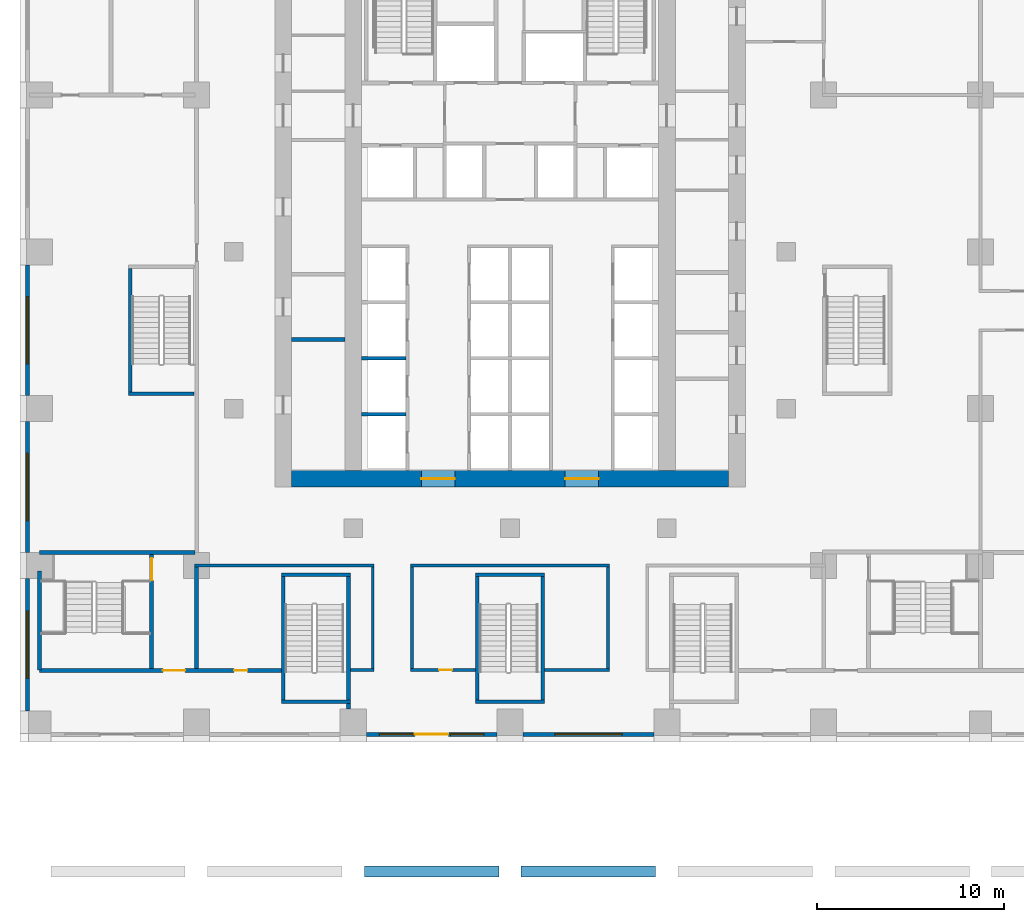
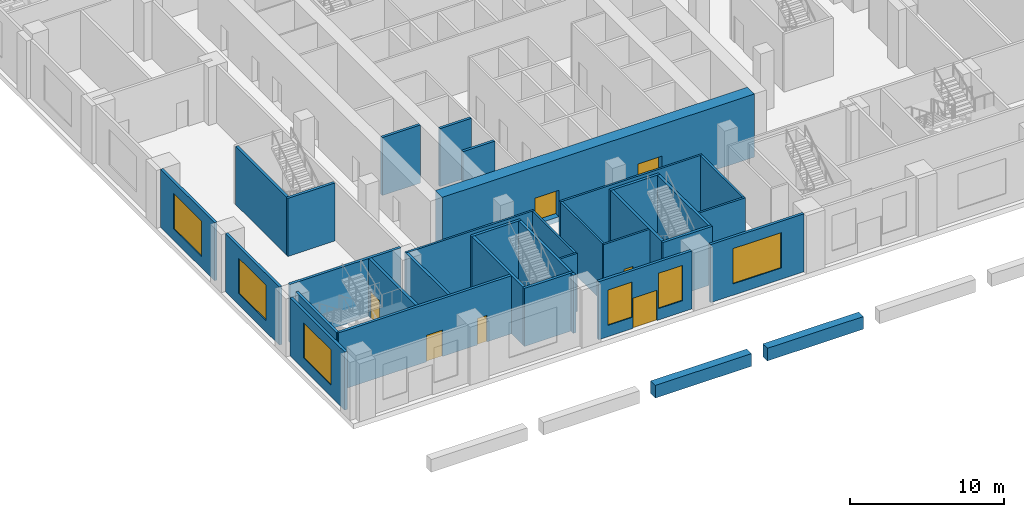
# One storey, part 3 of 21: 34 walls, 7 doors, 6 windows, 13 openings.
"""IFC4 building model written with IfcOpenShell, lengths in metres."""

from ifc_helpers import new_model, si_unit, direction, frame, frame_2d, origin, place, context, subcontext, project, spatial, rectangle, extrude, material, layer, layer_set, type_object, element, fill, save


model = new_model("IFC4")

# Units and contexts
model_context = context("Model", 3, precision=1e-05, world=origin(), true_north=direction((0.0, 1.0)))
body_context = subcontext(model_context, "Body", "Model", "MODEL_VIEW")
ifc_project = project(units=[si_unit("LENGTHUNIT", "METRE"), si_unit("AREAUNIT", "SQUARE_METRE"), si_unit("VOLUMEUNIT", "CUBIC_METRE"), si_unit("PLANEANGLEUNIT", "RADIAN"), si_unit("MASSUNIT", "GRAM", prefix="KILO")], contexts=[model_context])

# Site, building, storey
site_placement = place(None, origin())
site = spatial("IfcSite", under=ifc_project, at=site_placement, CompositionType="ELEMENT")
building_placement = place(site_placement, origin())
building = spatial("IfcBuilding", under=site, at=building_placement, Name="Vermilion Ogive Tower", CompositionType="ELEMENT")
storey_placement = place(building_placement, frame((0.0, 0.0, 25.0)))
storey = spatial("IfcBuildingStorey", under=building, at=storey_placement, Name="L04", CompositionType="ELEMENT", Elevation=25.0)

# Wall, openings, doors
ifc_material_1 = material(Name="Concrete B80", Category="concrete")
ifc_layer_1 = layer(ifc_material_1, 0.89990234375)
ifc_layer_set_1 = layer_set([ifc_layer_1], Name="Core wall 900 B80")
wall_type_1 = type_object("IfcWallType", Name="Core wall 900 B80", PredefinedType="SHEAR", material=ifc_layer_set_1)
wall_1_placement = place(storey_placement, frame((-11.699951171875, -7.949951171875, -0.39990234375), z_axis=(0.0, 0.0, 1.0), x_axis=(1.0, 0.0, 0.0)))
wall_1 = element("IfcWall", 1, at=wall_1_placement, inside=storey, type_object=wall_type_1, Name="L04-CORE-S", PredefinedType="SHEAR", context=body_context, shape_type="SweptSolid", body=[
    extrude(rectangle(XDim=23.39990234375, YDim=0.89990234375, at=frame_2d((11.699951171875, 0.0))), origin(), (0.0, 0.0, 1.0), 5.0),
])
opening_1_placement = place(wall_1_placement, frame((6.949951171875, 0.0, 0.39990234375)))
opening_1 = element("IfcOpeningElement", 2, at=opening_1_placement, cuts=wall_1, Name="Opening DAR009", PredefinedType="OPENING", context=body_context, shape_type="SweptSolid", body=[
    extrude(rectangle(XDim=1.800048828125, YDim=2.10009765625, at=frame_2d((0.89990234375, 1.050048828125))), frame((0.0, 0.4599609375, 0.0), z_axis=(0.0, -1.0, 0.0), x_axis=(1.0, 0.0, 0.0)), (0.0, 0.0, 1.0), 0.919921875),
])
opening_2_placement = place(wall_1_placement, frame((14.64990234375, 0.0, 0.39990234375)))
opening_2 = element("IfcOpeningElement", 3, at=opening_2_placement, cuts=wall_1, Name="Opening DAR010", PredefinedType="OPENING", context=body_context, shape_type="SweptSolid", body=[
    extrude(rectangle(XDim=1.800048828125, YDim=2.10009765625, at=frame_2d((0.89990234375, 1.050048828125))), frame((0.0, 0.4599609375, 0.0), z_axis=(0.0, -1.0, 0.0), x_axis=(1.0, 0.0, 0.0)), (0.0, 0.0, 1.0), 0.919921875),
])
ifc_material_2 = material(Name="Timber door leaf", Category="wood")
door_type_1 = type_object("IfcDoorType", Name="Core entry door 1800 x 2100 FD60S", OperationType="DOUBLE_DOOR_SINGLE_SWING", PredefinedType="DOOR", material=ifc_material_2)
door_1_placement = place(opening_1_placement, origin())
door_1 = element("IfcDoor", 4, at=door_1_placement, inside=storey, type_object=door_type_1, Name="L04-CK-XD1", OperationType="SINGLE_SWING_LEFT", OverallHeight=2.10009765625, OverallWidth=1.800048828125, PredefinedType="DOOR", context=body_context, shape_type="SweptSolid", body=[
    extrude(rectangle(XDim=1.800048828125, YDim=2.10009765625, at=frame_2d((0.89990234375, 1.050048828125))), frame((0.0, 0.02490234375, 0.0), z_axis=(0.0, -1.0, 0.0), x_axis=(1.0, 0.0, 0.0)), (0.0, 0.0, 1.0), 0.050048828125),
])
fill(opening_1, door_1)
door_2_placement = place(opening_2_placement, origin())
door_2 = element("IfcDoor", 5, at=door_2_placement, inside=storey, type_object=door_type_1, Name="L04-CK-XD2", OperationType="SINGLE_SWING_LEFT", OverallHeight=2.10009765625, OverallWidth=1.800048828125, PredefinedType="DOOR", context=body_context, shape_type="SweptSolid", body=[
    extrude(rectangle(XDim=1.800048828125, YDim=2.10009765625, at=frame_2d((0.89990234375, 1.050048828125))), frame((0.0, 0.02490234375, 0.0), z_axis=(0.0, -1.0, 0.0), x_axis=(1.0, 0.0, 0.0)), (0.0, 0.0, 1.0), 0.050048828125),
])
fill(opening_2, door_2)

# Wall
ifc_material_3 = material(Name="Gypsum board partition on steel studs", Category="steel")
ifc_layer_2 = layer(ifc_material_3, 0.14990234375)
ifc_layer_set_2 = layer_set([ifc_layer_2], Name="Partition 150 corridor")
wall_type_2 = type_object("IfcWallType", Name="Partition 150 corridor", PredefinedType="PARTITIONING", material=ifc_layer_set_2)
wall_2_placement = place(storey_placement, frame((-8.550048828125, -18.199951171875, 0.0), z_axis=(0.0, 0.0, 1.0), x_axis=(1.0, 0.0, 0.0)))
element("IfcWall", 6, at=wall_2_placement, inside=storey, type_object=wall_type_2, Name="L04-FS-W-W003", PredefinedType="PARTITIONING", context=body_context, shape_type="SweptSolid", body=[
    extrude(rectangle(XDim=1.275146484375, YDim=0.14990234375, at=frame_2d((0.6376953125, 0.0))), origin(), (0.0, 0.0, 1.0), 4.60009765625),
])

# Wall, opening, door
wall_3_placement = place(storey_placement, frame((-5.324951171875, -18.199951171875, 0.0), z_axis=(0.0, 0.0, 1.0), x_axis=(1.0, 0.0, 0.0)))
wall_3 = element("IfcWall", 7, at=wall_3_placement, inside=storey, type_object=wall_type_2, Name="L04-FS-W-W004", PredefinedType="PARTITIONING", context=body_context, shape_type="SweptSolid", body=[
    extrude(rectangle(XDim=3.474853515625, YDim=0.14990234375, at=frame_2d((1.7373046875, 0.0))), origin(), (0.0, 0.0, 1.0), 4.60009765625),
])
opening_3_placement = place(wall_3_placement, frame((1.52490234375, 0.0, 0.0)))
opening_3 = element("IfcOpeningElement", 8, at=opening_3_placement, cuts=wall_3, Name="Opening L04S037", PredefinedType="OPENING", context=body_context, shape_type="SweptSolid", body=[
    extrude(rectangle(XDim=0.699951171875, YDim=2.10009765625, at=frame_2d((0.35009765625, 1.050048828125))), frame((0.0, 0.0849609375, 0.0), z_axis=(0.0, -1.0, 0.0), x_axis=(1.0, 0.0, 0.0)), (0.0, 0.0, 1.0), 0.169921875),
])
ifc_material_4 = material(Name="Timber door leaf", Category="wood")
door_type_2 = type_object("IfcDoorType", Name="Room door 700 x 2100 FD30", OperationType="SINGLE_SWING_LEFT", PredefinedType="DOOR", material=ifc_material_4)
door_3_placement = place(opening_3_placement, origin())
door_3 = element("IfcDoor", 9, at=door_3_placement, inside=storey, type_object=door_type_2, Name="L04-FS-D-D037", OperationType="SINGLE_SWING_LEFT", OverallHeight=2.10009765625, OverallWidth=0.699951171875, PredefinedType="DOOR", context=body_context, shape_type="SweptSolid", body=[
    extrude(rectangle(XDim=0.699951171875, YDim=2.10009765625, at=frame_2d((0.35009765625, 1.050048828125))), frame((0.0, 0.02490234375, 0.0), z_axis=(0.0, -1.0, 0.0), x_axis=(1.0, 0.0, 0.0)), (0.0, 0.0, 1.0), 0.050048828125),
])
fill(opening_3, door_3)

# Walls
wall_4_placement = place(storey_placement, frame((1.85009765625, -18.199951171875, 0.0), z_axis=(0.0, 0.0, 1.0), x_axis=(1.0, 0.0, 0.0)))
element("IfcWall", 10, at=wall_4_placement, inside=storey, type_object=wall_type_2, Name="L04-FS-W-W005", PredefinedType="PARTITIONING", context=body_context, shape_type="SweptSolid", body=[
    extrude(rectangle(XDim=3.474853515625, YDim=0.14990234375, at=frame_2d((1.7373046875, 0.0))), origin(), (0.0, 0.0, 1.0), 4.60009765625),
])
wall_5_placement = place(storey_placement, frame((-16.89990234375, -12.60009765625, 0.0), z_axis=(0.0, 0.0, 1.0), x_axis=(1.0, 0.0, 0.0)))
element("IfcWall", 11, at=wall_5_placement, inside=storey, type_object=wall_type_2, Name="L04-FS-W-W008", PredefinedType="PARTITIONING", context=body_context, shape_type="SweptSolid", body=[
    extrude(rectangle(XDim=9.625, YDim=0.14990234375, at=frame_2d((4.8125, 0.0))), origin(), (0.0, 0.0, 1.0), 4.60009765625),
])
wall_6_placement = place(storey_placement, frame((-5.324951171875, -12.60009765625, 0.0), z_axis=(0.0, 0.0, 1.0), x_axis=(1.0, 0.0, 0.0)))
element("IfcWall", 12, at=wall_6_placement, inside=storey, type_object=wall_type_2, Name="L04-FS-W-W009", PredefinedType="PARTITIONING", context=body_context, shape_type="SweptSolid", body=[
    extrude(rectangle(XDim=10.64990234375, YDim=0.14990234375, at=frame_2d((5.324951171875, 0.0))), origin(), (0.0, 0.0, 1.0), 4.60009765625),
])
for number, where, z_axis, x_axis, name in (
    (13, (-7.35009765625, -18.125, 0.0), (0.0, 0.0, 1.0), (0.0, 1.0, 0.0), "L04-FS-W-W039"),
    (14, (-5.25, -18.125, 0.0), (0.0, 0.0, 1.0), (0.0, 1.0, 0.0), "L04-FS-W-W040"),
    (15, (5.25, -18.125, 0.0), (0.0, 0.0, 1.0), (0.0, 1.0, 0.0), "L04-FS-W-W046"),
):
    element("IfcWall", number, at=place(storey_placement, frame(where, z_axis=z_axis, x_axis=x_axis)), inside=storey, type_object=wall_type_2, Name=name, PredefinedType="PARTITIONING", context=body_context, shape_type="SweptSolid", body=[
        extrude(rectangle(XDim=5.449951171875, YDim=0.14990234375, at=frame_2d((2.72509765625, 0.0))), origin(), (0.0, 0.0, 1.0), 4.60009765625),
    ])
ifc_material_5 = material(Name="Gypsum board partition on steel studs", Category="steel")
ifc_layer_3 = layer(ifc_material_5, 0.199951171875)
ifc_layer_set_3 = layer_set([ifc_layer_3], Name="Partition 200 party")
wall_type_3 = type_object("IfcWallType", Name="Partition 200 party", PredefinedType="PARTITIONING", material=ifc_layer_set_3)
wall_7_placement = place(storey_placement, frame((-16.800048828125, -18.125, 0.0), z_axis=(0.0, 0.0, 1.0), x_axis=(0.0, 1.0, 0.0)))
element("IfcWall", 16, at=wall_7_placement, inside=storey, type_object=wall_type_3, Name="L04-FS-W-W036", PredefinedType="PARTITIONING", context=body_context, shape_type="SweptSolid", body=[
    extrude(rectangle(XDim=5.449951171875, YDim=0.199951171875, at=frame_2d((2.72509765625, 0.0))), origin(), (0.0, 0.0, 1.0), 4.60009765625),
])
for number, where, z_axis, x_axis, name in (
    (17, (-7.948974609375, -4.5, 0.0), (0.0, 0.0, 1.0), (1.0, 0.0, 0.0), "L04-CK-W-W001"),
    (18, (-7.948974609375, -1.5, 0.0), (0.0, 0.0, 1.0), (1.0, 0.0, 0.0), "L04-CK-W-W004"),
):
    element("IfcWall", number, at=place(storey_placement, frame(where, z_axis=z_axis, x_axis=x_axis)), inside=storey, type_object=wall_type_3, Name=name, PredefinedType="PARTITIONING", context=body_context, shape_type="SweptSolid", body=[
        extrude(rectangle(XDim=2.3740234375, YDim=0.199951171875, at=frame_2d((1.18701171875, 0.0))), origin(), (0.0, 0.0, 1.0), 4.60009765625),
    ])
wall_8_placement = place(storey_placement, frame((-11.698974609375, -0.5, 0.0), z_axis=(0.0, 0.0, 1.0), x_axis=(1.0, 0.0, 0.0)))
element("IfcWall", 19, at=wall_8_placement, inside=storey, type_object=wall_type_3, Name="L04-CKW-W-W001", PredefinedType="PARTITIONING", context=body_context, shape_type="SweptSolid", body=[
    extrude(rectangle(XDim=2.847900390625, YDim=0.199951171875, at=frame_2d((1.423828125, 0.0))), origin(), (0.0, 0.0, 1.0), 4.60009765625),
])

# Wall, openings, doors
ifc_material_6 = material(Name="Concrete B60", Category="concrete")
ifc_layer_4 = layer(ifc_material_6, 0.199951171875)
ifc_layer_set_4 = layer_set([ifc_layer_4], Name="Stair shaft wall 200 Concrete B60")
wall_type_4 = type_object("IfcWallType", Name="Stair shaft wall 200 Concrete B60", PredefinedType="SOLIDWALL", material=ifc_layer_set_4)
wall_9_placement = place(storey_placement, frame((-25.199951171875, -18.224853515625, 0.0), z_axis=(0.0, 0.0, 1.0), x_axis=(1.0, 0.0, 0.0)))
wall_9 = element("IfcWall", 20, at=wall_9_placement, inside=storey, type_object=wall_type_4, Name="L04-FS-W-W002", PredefinedType="SOLIDWALL", context=body_context, shape_type="SweptSolid", body=[
    extrude(rectangle(XDim=12.949951171875, YDim=0.199951171875, at=frame_2d((6.47509765625, 0.0))), origin(), (0.0, 0.0, 1.0), 4.60009765625),
])
opening_4_placement = place(wall_9_placement, frame((6.599853515625, 0.0, 0.0)))
opening_4 = element("IfcOpeningElement", 21, at=opening_4_placement, cuts=wall_9, Name="Opening L04S010", PredefinedType="OPENING", context=body_context, shape_type="SweptSolid", body=[
    extrude(rectangle(XDim=1.199951171875, YDim=2.10009765625, at=frame_2d((0.60009765625, 1.050048828125))), frame((0.0, 0.10986328125, 0.0), z_axis=(0.0, -1.0, 0.0), x_axis=(1.0, 0.0, 0.0)), (0.0, 0.0, 1.0), 0.219970703125),
])
opening_5_placement = place(wall_9_placement, frame((10.4248046875, 0.0, 0.0)))
opening_5 = element("IfcOpeningElement", 22, at=opening_5_placement, cuts=wall_9, Name="Opening L04S036", PredefinedType="OPENING", context=body_context, shape_type="SweptSolid", body=[
    extrude(rectangle(XDim=0.699951171875, YDim=2.10009765625, at=frame_2d((0.35009765625, 1.050048828125))), frame((0.0, 0.10986328125, 0.0), z_axis=(0.0, -1.0, 0.0), x_axis=(1.0, 0.0, 0.0)), (0.0, 0.0, 1.0), 0.219970703125),
])
door_4_placement = place(opening_5_placement, origin())
door_4 = element("IfcDoor", 23, at=door_4_placement, inside=storey, type_object=door_type_2, Name="L04-FS-D-D036", OperationType="SINGLE_SWING_RIGHT", OverallHeight=2.10009765625, OverallWidth=0.699951171875, PredefinedType="DOOR", context=body_context, shape_type="SweptSolid", body=[
    extrude(rectangle(XDim=0.699951171875, YDim=2.10009765625, at=frame_2d((0.35009765625, 1.050048828125))), frame((0.0, 0.02490234375, 0.0), z_axis=(0.0, -1.0, 0.0), x_axis=(1.0, 0.0, 0.0)), (0.0, 0.0, 1.0), 0.050048828125),
])
fill(opening_5, door_4)
ifc_material_7 = material(Name="Timber door leaf", Category="wood")
door_type_3 = type_object("IfcDoorType", Name="Stair door 1200 x 2100 FD60S", OperationType="SINGLE_SWING_LEFT", PredefinedType="DOOR", material=ifc_material_7)
door_5_placement = place(opening_4_placement, origin())
door_5 = element("IfcDoor", 24, at=door_5_placement, inside=storey, type_object=door_type_3, Name="L04-FS-D-D010", OperationType="SINGLE_SWING_RIGHT", OverallHeight=2.10009765625, OverallWidth=1.199951171875, PredefinedType="DOOR", context=body_context, shape_type="SweptSolid", body=[
    extrude(rectangle(XDim=1.199951171875, YDim=2.10009765625, at=frame_2d((0.60009765625, 1.050048828125))), frame((0.0, 0.02490234375, 0.0), z_axis=(0.0, -1.0, 0.0), x_axis=(1.0, 0.0, 0.0)), (0.0, 0.0, 1.0), 0.050048828125),
])
fill(opening_4, door_5)

# Wall
wall_10_placement = place(storey_placement, frame((-25.199951171875, -11.89990234375, 0.0), z_axis=(0.0, 0.0, 1.0), x_axis=(1.0, 0.0, 0.0)))
element("IfcWall", 25, at=wall_10_placement, inside=storey, type_object=wall_type_4, Name="L04-FS-W-W011", PredefinedType="SOLIDWALL", context=body_context, shape_type="SweptSolid", body=[
    extrude(rectangle(XDim=8.324951171875, YDim=0.199951171875, at=frame_2d((4.16259765625, 0.0))), origin(), (0.0, 0.0, 1.0), 4.60009765625),
])

# Wall, opening, door
wall_11_placement = place(storey_placement, frame((-19.199951171875, -18.125, 0.0), z_axis=(0.0, 0.0, 1.0), x_axis=(0.0, 1.0, 0.0)))
wall_11 = element("IfcWall", 26, at=wall_11_placement, inside=storey, type_object=wall_type_4, Name="L04-FS-W-W035", PredefinedType="SOLIDWALL", context=body_context, shape_type="SweptSolid", body=[
    extrude(rectangle(XDim=6.125, YDim=0.199951171875, at=frame_2d((3.0625, 0.0))), origin(), (0.0, 0.0, 1.0), 4.60009765625),
])
opening_6_placement = place(wall_11_placement, frame((4.72509765625, 0.0, 0.0)))
opening_6 = element("IfcOpeningElement", 27, at=opening_6_placement, cuts=wall_11, Name="Opening L04S004", PredefinedType="OPENING", context=body_context, shape_type="SweptSolid", body=[
    extrude(rectangle(XDim=1.199951171875, YDim=2.10009765625, at=frame_2d((0.60009765625, 1.050048828125))), frame((0.0, 0.10986328125, 0.0), z_axis=(0.0, -1.0, 0.0), x_axis=(1.0, 0.0, 0.0)), (0.0, 0.0, 1.0), 0.219970703125),
])
door_6_placement = place(opening_6_placement, origin())
door_6 = element("IfcDoor", 28, at=door_6_placement, inside=storey, type_object=door_type_3, Name="L04-FS-D-D004", OperationType="DOUBLE_DOOR_SINGLE_SWING", OverallHeight=2.10009765625, OverallWidth=1.199951171875, PredefinedType="DOOR", context=body_context, shape_type="SweptSolid", body=[
    extrude(rectangle(XDim=1.199951171875, YDim=2.10009765625, at=frame_2d((0.60009765625, 1.050048828125))), frame((0.0, 0.02490234375, 0.0), z_axis=(0.0, -1.0, 0.0), x_axis=(1.0, 0.0, 0.0)), (0.0, 0.0, 1.0), 0.050048828125),
])
fill(opening_6, door_6)

# Walls
for number, where, z_axis, x_axis, name in (
    (29, (-12.25, -19.89990234375, 0.0), (0.0, 0.0, 1.0), (1.0, 0.0, 0.0), "L04-SW-ST3-S1"),
    (30, (-12.25, -13.10009765625, 0.0), (0.0, 0.0, 1.0), (1.0, 0.0, 0.0), "L04-SW-ST3-N1"),
):
    element("IfcWall", number, at=place(storey_placement, frame(where, z_axis=z_axis, x_axis=x_axis)), inside=storey, type_object=wall_type_4, Name=name, PredefinedType="SOLIDWALL", context=body_context, shape_type="SweptSolid", body=[
        extrude(rectangle(XDim=3.699951171875, YDim=0.199951171875, at=frame_2d((1.85009765625, 0.0))), origin(), (0.0, 0.0, 1.0), 4.60009765625),
    ])
wall_12_placement = place(storey_placement, frame((-12.14990234375, -19.800048828125, 0.0), z_axis=(0.0, 0.0, 1.0), x_axis=(0.0, 1.0, 0.0)))
element("IfcWall", 31, at=wall_12_placement, inside=storey, type_object=wall_type_4, Name="L04-SW-ST3-W1", PredefinedType="SOLIDWALL", context=body_context, shape_type="SweptSolid", body=[
    extrude(rectangle(XDim=6.60009765625, YDim=0.199951171875, at=frame_2d((3.300048828125, 0.0))), origin(), (0.0, 0.0, 1.0), 4.60009765625),
])
wall_13_placement = place(storey_placement, frame((-8.64990234375, -20.300048828125, 0.0), z_axis=(0.0, 0.0, 1.0), x_axis=(0.0, 1.0, 0.0)))
element("IfcWall", 32, at=wall_13_placement, inside=storey, type_object=wall_type_4, Name="L04-SW-ST3-E1", PredefinedType="SOLIDWALL", context=body_context, shape_type="SweptSolid", body=[
    extrude(rectangle(XDim=7.10009765625, YDim=0.199951171875, at=frame_2d((3.550048828125, 0.0))), origin(), (0.0, 0.0, 1.0), 4.60009765625),
])
for number, where, z_axis, x_axis, name in (
    (33, (-1.85009765625, -19.89990234375, 0.0), (0.0, 0.0, 1.0), (1.0, 0.0, 0.0), "L04-SW-ST4-S1"),
    (34, (-1.85009765625, -13.10009765625, 0.0), (0.0, 0.0, 1.0), (1.0, 0.0, 0.0), "L04-SW-ST4-N1"),
):
    element("IfcWall", number, at=place(storey_placement, frame(where, z_axis=z_axis, x_axis=x_axis)), inside=storey, type_object=wall_type_4, Name=name, PredefinedType="SOLIDWALL", context=body_context, shape_type="SweptSolid", body=[
        extrude(rectangle(XDim=3.7001953125, YDim=0.199951171875, at=frame_2d((1.85009765625, 0.0))), origin(), (0.0, 0.0, 1.0), 4.60009765625),
    ])
for number, where, z_axis, x_axis, name in (
    (35, (-1.75, -19.800048828125, 0.0), (0.0, 0.0, 1.0), (0.0, 1.0, 0.0), "L04-SW-ST4-W1"),
    (36, (1.75, -19.800048828125, 0.0), (0.0, 0.0, 1.0), (0.0, 1.0, 0.0), "L04-SW-ST4-E1"),
):
    element("IfcWall", number, at=place(storey_placement, frame(where, z_axis=z_axis, x_axis=x_axis)), inside=storey, type_object=wall_type_4, Name=name, PredefinedType="SOLIDWALL", context=body_context, shape_type="SweptSolid", body=[
        extrude(rectangle(XDim=6.60009765625, YDim=0.199951171875, at=frame_2d((3.300048828125, 0.0))), origin(), (0.0, 0.0, 1.0), 4.60009765625),
    ])
wall_14_placement = place(storey_placement, frame((-20.449951171875, -3.39990234375, 0.0), z_axis=(0.0, 0.0, 1.0), x_axis=(1.0, 0.0, 0.0)))
element("IfcWall", 37, at=wall_14_placement, inside=storey, type_object=wall_type_4, Name="L04-SW-ST9-S1", PredefinedType="SOLIDWALL", context=body_context, shape_type="SweptSolid", body=[
    extrude(rectangle(XDim=3.52490234375, YDim=0.199951171875, at=frame_2d((1.762451171875, 0.0))), origin(), (0.0, 0.0, 1.0), 4.60009765625),
])
wall_15_placement = place(storey_placement, frame((-25.199951171875, -18.199951171875, 0.0), z_axis=(0.0, 0.0, 1.0), x_axis=(0.0, 1.0, 0.0)))
element("IfcWall", 38, at=wall_15_placement, inside=storey, type_object=wall_type_4, Name="L04-SW-R007-W1", PredefinedType="SOLIDWALL", context=body_context, shape_type="SweptSolid", body=[
    extrude(rectangle(XDim=5.300048828125, YDim=0.199951171875, at=frame_2d((2.64990234375, 0.0))), origin(), (0.0, 0.0, 1.0), 4.60009765625),
])
wall_16_placement = place(storey_placement, frame((-20.35009765625, -3.300048828125, 0.0), z_axis=(0.0, 0.0, 1.0), x_axis=(0.0, 1.0, 0.0)))
element("IfcWall", 39, at=wall_16_placement, inside=storey, type_object=wall_type_4, Name="L04-SW-ST9-W1-A", PredefinedType="SOLIDWALL", context=body_context, shape_type="SweptSolid", body=[
    extrude(rectangle(XDim=6.60009765625, YDim=0.199951171875, at=frame_2d((3.300048828125, 0.0))), origin(), (0.0, 0.0, 1.0), 4.60009765625),
])
ifc_material_8 = material(Name="Concrete B40", Category="concrete")
ifc_layer_5 = layer(ifc_material_8, 0.60009765625)
ifc_layer_set_5 = layer_set([ifc_layer_5], Name="Terrace planter")
wall_type_5 = type_object("IfcWallType", Name="Terrace planter", PredefinedType="USERDEFINED", material=ifc_layer_set_5)
for number, where, z_axis, x_axis, name in (
    (40, (7.800048828125, -29.0, 0.0), (0.0, 0.0, 1.0), (-1.0, 0.0, 0.0), "Terrace planter 1.1.13"),
    (41, (-0.60009765625, -29.0, 0.0), (0.0, 0.0, 1.0), (-1.0, 0.0, 0.0), "Terrace planter 1.1.14"),
):
    element("IfcWall", number, at=place(storey_placement, frame(where, z_axis=z_axis, x_axis=x_axis)), inside=storey, type_object=wall_type_5, Name=name, ObjectType="PLANTER", PredefinedType="USERDEFINED", context=body_context, shape_type="SweptSolid", body=[
        extrude(rectangle(XDim=7.199951171875, YDim=0.60009765625, at=frame_2d((3.60009765625, 0.0))), origin(), (0.0, 0.0, 1.0), 1.0),
    ])

# Wall, openings, windows, door
ifc_material_9 = material(Name="Aluminium window wall framing", Category="aluminium")
ifc_layer_6 = layer(ifc_material_9, 0.199951171875)
ifc_layer_set_6 = layer_set([ifc_layer_6], Name="Window wall")
wall_type_6 = type_object("IfcWallType", Name="Window wall", PredefinedType="STANDARD", material=ifc_layer_set_6)
wall_17_placement = place(storey_placement, frame((-7.699951171875, -21.64990234375, 0.0), z_axis=(0.0, 0.0, 1.0), x_axis=(1.0, 0.0, 0.0)))
wall_17 = element("IfcWall", 42, at=wall_17_placement, inside=storey, type_object=wall_type_6, Name="Window wall S3", PredefinedType="STANDARD", context=body_context, shape_type="SweptSolid", body=[
    extrude(rectangle(XDim=7.0, YDim=0.199951171875, at=frame_2d((3.5, 0.0))), origin(), (0.0, 0.0, 1.0), 4.60009765625),
])
opening_7_placement = place(wall_17_placement, frame((0.699951171875, 0.0, 0.89990234375)))
opening_7 = element("IfcOpeningElement", 43, at=opening_7_placement, cuts=wall_17, Name="Opening P-S3A", PredefinedType="OPENING", context=body_context, shape_type="SweptSolid", body=[
    extrude(rectangle(XDim=1.800048828125, YDim=2.800048828125, at=frame_2d((0.89990234375, 1.39990234375))), frame((0.0, 0.10986328125, 0.0), z_axis=(0.0, -1.0, 0.0), x_axis=(1.0, 0.0, 0.0)), (0.0, 0.0, 1.0), 0.219970703125),
])
opening_8_placement = place(wall_17_placement, frame((2.60009765625, 0.0, 0.0)))
opening_8 = element("IfcOpeningElement", 44, at=opening_8_placement, cuts=wall_17, Name="Opening D2-S3", PredefinedType="OPENING", context=body_context, shape_type="SweptSolid", body=[
    extrude(rectangle(XDim=1.800048828125, YDim=2.39990234375, at=frame_2d((0.89990234375, 1.199951171875))), frame((0.0, 0.10986328125, 0.0), z_axis=(0.0, -1.0, 0.0), x_axis=(1.0, 0.0, 0.0)), (0.0, 0.0, 1.0), 0.219970703125),
])
opening_9_placement = place(wall_17_placement, frame((4.5, 0.0, 0.89990234375)))
opening_9 = element("IfcOpeningElement", 45, at=opening_9_placement, cuts=wall_17, Name="Opening P-S3B", PredefinedType="OPENING", context=body_context, shape_type="SweptSolid", body=[
    extrude(rectangle(XDim=1.800048828125, YDim=2.800048828125, at=frame_2d((0.89990234375, 1.39990234375))), frame((0.0, 0.10986328125, 0.0), z_axis=(0.0, -1.0, 0.0), x_axis=(1.0, 0.0, 0.0)), (0.0, 0.0, 1.0), 0.219970703125),
])
ifc_material_10 = material(Name="Aluminium framed double glazing", Category="aluminium")
window_type_1 = type_object("IfcWindowType", Name="Podium window P 1800x2800 sill 900", PartitioningType="SINGLE_PANEL", PredefinedType="WINDOW", material=ifc_material_10)
window_1_placement = place(opening_7_placement, origin())
window_1 = element("IfcWindow", 46, at=window_1_placement, inside=storey, type_object=window_type_1, Name="Window S3A", OverallHeight=2.800048828125, OverallWidth=1.800048828125, PartitioningType="SINGLE_PANEL", PredefinedType="WINDOW", context=body_context, shape_type="SweptSolid", body=[
    extrude(rectangle(XDim=1.800048828125, YDim=2.800048828125, at=frame_2d((0.89990234375, 1.39990234375))), frame((0.0, 0.030029296875, 0.0), z_axis=(0.0, -1.0, 0.0), x_axis=(1.0, 0.0, 0.0)), (0.0, 0.0, 1.0), 0.06005859375),
])
fill(opening_7, window_1)
window_2_placement = place(opening_9_placement, origin())
window_2 = element("IfcWindow", 47, at=window_2_placement, inside=storey, type_object=window_type_1, Name="Window S3B", OverallHeight=2.800048828125, OverallWidth=1.800048828125, PartitioningType="SINGLE_PANEL", PredefinedType="WINDOW", context=body_context, shape_type="SweptSolid", body=[
    extrude(rectangle(XDim=1.800048828125, YDim=2.800048828125, at=frame_2d((0.89990234375, 1.39990234375))), frame((0.0, 0.030029296875, 0.0), z_axis=(0.0, -1.0, 0.0), x_axis=(1.0, 0.0, 0.0)), (0.0, 0.0, 1.0), 0.06005859375),
])
fill(opening_9, window_2)
ifc_material_11 = material(Name="Aluminium framed glazed door", Category="aluminium")
door_type_4 = type_object("IfcDoorType", Name="Terrace door D2", OperationType="SINGLE_SWING_LEFT", PredefinedType="DOOR", material=ifc_material_11)
door_7_placement = place(opening_8_placement, origin())
door_7 = element("IfcDoor", 48, at=door_7_placement, inside=storey, type_object=door_type_4, Name="Terrace door S3", OperationType="SINGLE_SWING_LEFT", OverallHeight=2.39990234375, OverallWidth=1.800048828125, PredefinedType="DOOR", context=body_context, shape_type="SweptSolid", body=[
    extrude(rectangle(XDim=1.800048828125, YDim=2.39990234375, at=frame_2d((0.89990234375, 1.199951171875))), frame((0.0, 0.02490234375, 0.0), z_axis=(0.0, -1.0, 0.0), x_axis=(1.0, 0.0, 0.0)), (0.0, 0.0, 1.0), 0.050048828125),
])
fill(opening_8, door_7)

# Wall, opening, window
wall_18_placement = place(storey_placement, frame((0.699951171875, -21.64990234375, 0.0), z_axis=(0.0, 0.0, 1.0), x_axis=(1.0, 0.0, 0.0)))
wall_18 = element("IfcWall", 49, at=wall_18_placement, inside=storey, type_object=wall_type_6, Name="Window wall S4", PredefinedType="STANDARD", context=body_context, shape_type="SweptSolid", body=[
    extrude(rectangle(XDim=7.0, YDim=0.199951171875, at=frame_2d((3.5, 0.0))), origin(), (0.0, 0.0, 1.0), 4.60009765625),
])
opening_10_placement = place(wall_18_placement, frame((1.699951171875, 0.0, 0.89990234375)))
opening_10 = element("IfcOpeningElement", 50, at=opening_10_placement, cuts=wall_18, Name="Opening P-S4", PredefinedType="OPENING", context=body_context, shape_type="SweptSolid", body=[
    extrude(rectangle(XDim=3.60009765625, YDim=2.800048828125, at=frame_2d((1.800048828125, 1.39990234375))), frame((0.0, 0.10986328125, 0.0), z_axis=(0.0, -1.0, 0.0), x_axis=(1.0, 0.0, 0.0)), (0.0, 0.0, 1.0), 0.219970703125),
])
ifc_material_12 = material(Name="Aluminium framed double glazing", Category="aluminium")
window_type_2 = type_object("IfcWindowType", Name="Podium window P 3600x2800 sill 900", PartitioningType="SINGLE_PANEL", PredefinedType="WINDOW", material=ifc_material_12)
window_3_placement = place(opening_10_placement, origin())
window_3 = element("IfcWindow", 51, at=window_3_placement, inside=storey, type_object=window_type_2, Name="Window S4", OverallHeight=2.800048828125, OverallWidth=3.60009765625, PartitioningType="SINGLE_PANEL", PredefinedType="WINDOW", context=body_context, shape_type="SweptSolid", body=[
    extrude(rectangle(XDim=3.60009765625, YDim=2.800048828125, at=frame_2d((1.800048828125, 1.39990234375))), frame((0.0, 0.030029296875, 0.0), z_axis=(0.0, -1.0, 0.0), x_axis=(1.0, 0.0, 0.0)), (0.0, 0.0, 1.0), 0.06005859375),
])
fill(opening_10, window_3)

wall_19_placement = place(storey_placement, frame((-25.85009765625, 3.5, 0.0), z_axis=(0.0, 0.0, 1.0), x_axis=(0.0, -1.0, 0.0)))
wall_19 = element("IfcWall", 52, at=wall_19_placement, inside=storey, type_object=wall_type_6, Name="Window wall W4", PredefinedType="STANDARD", context=body_context, shape_type="SweptSolid", body=[
    extrude(rectangle(XDim=7.0, YDim=0.199951171875, at=frame_2d((3.5, 0.0))), origin(), (0.0, 0.0, 1.0), 4.60009765625),
])
opening_11_placement = place(wall_19_placement, frame((1.699951171875, 0.0, 0.89990234375)))
opening_11 = element("IfcOpeningElement", 53, at=opening_11_placement, cuts=wall_19, Name="Opening P-W4", PredefinedType="OPENING", context=body_context, shape_type="SweptSolid", body=[
    extrude(rectangle(XDim=3.60009765625, YDim=2.800048828125, at=frame_2d((1.800048828125, 1.39990234375))), frame((0.0, 0.10986328125, 0.0), z_axis=(0.0, -1.0, 0.0), x_axis=(1.0, 0.0, 0.0)), (0.0, 0.0, 1.0), 0.219970703125),
])
window_4_placement = place(opening_11_placement, origin())
window_4 = element("IfcWindow", 54, at=window_4_placement, inside=storey, type_object=window_type_2, Name="Window W4", OverallHeight=2.800048828125, OverallWidth=3.60009765625, PartitioningType="SINGLE_PANEL", PredefinedType="WINDOW", context=body_context, shape_type="SweptSolid", body=[
    extrude(rectangle(XDim=3.60009765625, YDim=2.800048828125, at=frame_2d((1.800048828125, 1.39990234375))), frame((0.0, 0.030029296875, 0.0), z_axis=(0.0, -1.0, 0.0), x_axis=(1.0, 0.0, 0.0)), (0.0, 0.0, 1.0), 0.06005859375),
])
fill(opening_11, window_4)

wall_20_placement = place(storey_placement, frame((-25.85009765625, -4.89990234375, 0.0), z_axis=(0.0, 0.0, 1.0), x_axis=(0.0, -1.0, 0.0)))
wall_20 = element("IfcWall", 55, at=wall_20_placement, inside=storey, type_object=wall_type_6, Name="Window wall W5", PredefinedType="STANDARD", context=body_context, shape_type="SweptSolid", body=[
    extrude(rectangle(XDim=7.0, YDim=0.199951171875, at=frame_2d((3.5, 0.0))), origin(), (0.0, 0.0, 1.0), 4.60009765625),
])
opening_12_placement = place(wall_20_placement, frame((1.699951171875, 0.0, 0.89990234375)))
opening_12 = element("IfcOpeningElement", 56, at=opening_12_placement, cuts=wall_20, Name="Opening P-W5", PredefinedType="OPENING", context=body_context, shape_type="SweptSolid", body=[
    extrude(rectangle(XDim=3.60009765625, YDim=2.800048828125, at=frame_2d((1.800048828125, 1.39990234375))), frame((0.0, 0.10986328125, 0.0), z_axis=(0.0, -1.0, 0.0), x_axis=(1.0, 0.0, 0.0)), (0.0, 0.0, 1.0), 0.219970703125),
])
window_5_placement = place(opening_12_placement, origin())
window_5 = element("IfcWindow", 57, at=window_5_placement, inside=storey, type_object=window_type_2, Name="Window W5", OverallHeight=2.800048828125, OverallWidth=3.60009765625, PartitioningType="SINGLE_PANEL", PredefinedType="WINDOW", context=body_context, shape_type="SweptSolid", body=[
    extrude(rectangle(XDim=3.60009765625, YDim=2.800048828125, at=frame_2d((1.800048828125, 1.39990234375))), frame((0.0, 0.030029296875, 0.0), z_axis=(0.0, -1.0, 0.0), x_axis=(1.0, 0.0, 0.0)), (0.0, 0.0, 1.0), 0.06005859375),
])
fill(opening_12, window_5)

wall_21_placement = place(storey_placement, frame((-25.85009765625, -13.300048828125, 0.0), z_axis=(0.0, 0.0, 1.0), x_axis=(0.0, -1.0, 0.0)))
wall_21 = element("IfcWall", 58, at=wall_21_placement, inside=storey, type_object=wall_type_6, Name="Window wall W6", PredefinedType="STANDARD", context=body_context, shape_type="SweptSolid", body=[
    extrude(rectangle(XDim=7.099853515625, YDim=0.199951171875, at=frame_2d((3.5498046875, 0.0))), origin(), (0.0, 0.0, 1.0), 4.60009765625),
])
opening_13_placement = place(wall_21_placement, frame((1.75, 0.0, 0.89990234375)))
opening_13 = element("IfcOpeningElement", 59, at=opening_13_placement, cuts=wall_21, Name="Opening P-W6", PredefinedType="OPENING", context=body_context, shape_type="SweptSolid", body=[
    extrude(rectangle(XDim=3.60009765625, YDim=2.800048828125, at=frame_2d((1.800048828125, 1.39990234375))), frame((0.0, 0.10986328125, 0.0), z_axis=(0.0, -1.0, 0.0), x_axis=(1.0, 0.0, 0.0)), (0.0, 0.0, 1.0), 0.219970703125),
])
window_6_placement = place(opening_13_placement, origin())
window_6 = element("IfcWindow", 60, at=window_6_placement, inside=storey, type_object=window_type_2, Name="Window W6", OverallHeight=2.800048828125, OverallWidth=3.60009765625, PartitioningType="SINGLE_PANEL", PredefinedType="WINDOW", context=body_context, shape_type="SweptSolid", body=[
    extrude(rectangle(XDim=3.60009765625, YDim=2.800048828125, at=frame_2d((1.800048828125, 1.39990234375))), frame((0.0, 0.030029296875, 0.0), z_axis=(0.0, -1.0, 0.0), x_axis=(1.0, 0.0, 0.0)), (0.0, 0.0, 1.0), 0.06005859375),
])
fill(opening_13, window_6)

save(model, "model.ifc")
